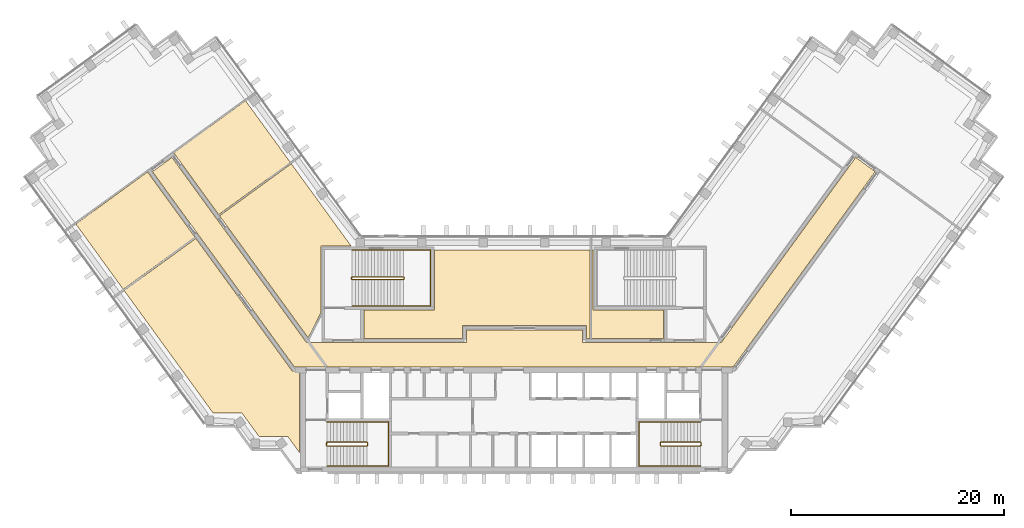
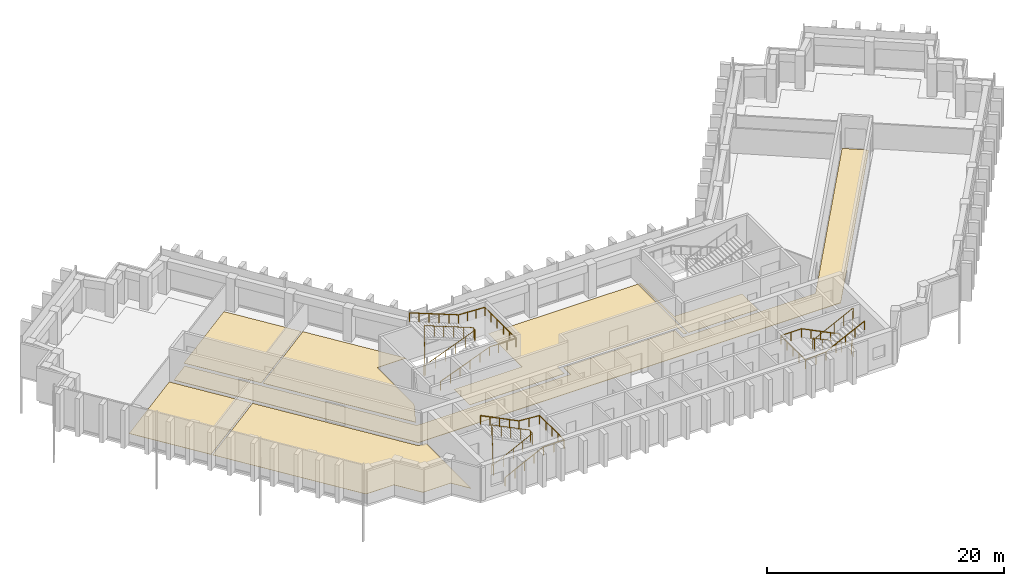
# One storey, part 12 of 13: 7 coverings, 6 railings.
"""IFC4 building model written with IfcOpenShell, lengths in metres."""

import ifcopenshell
import ifcopenshell.guid

model = None  # the IFC model being written
_history = None  # IfcOwnerHistory: only IFC2X3 demands one
_inside = {}  # id of a spatial element -> (the spatial element, [elements in it])
_under = {}  # id of a project, library or spatial element -> (it, [spatial elements below it])
_declared = {}  # id of a project -> (the project, [libraries it declares])
_typed = {}  # id of a type object -> (the type object, [elements of that type])
_made_of = {}  # id of a material, layer set ... -> (it, [elements and type objects made of it])


def new_model(schema):
    """Start an empty IFC model of exactly this schema.

    Asked for "IFC4X3", IfcOpenShell would pick the latest addendum, in which some entities
    have other attributes; the version numbers below select the first issue.
    IFC2X3 requires an IfcOwnerHistory on every rooted entity: one is made here for all.
    """
    global model, _history
    if schema == "IFC4X3":
        model = ifcopenshell.file(schema_version=(4, 3, 0, 0))
    else:
        model = ifcopenshell.file(schema=schema)
    _inside.clear()
    _under.clear()
    _declared.clear()
    _typed.clear()
    _made_of.clear()
    _history = None
    if model.schema == "IFC2X3":
        org = make("IfcOrganization", Name="unknown")
        user = make(
            "IfcPersonAndOrganization",
            ThePerson=make("IfcPerson", FamilyName="unknown"),
            TheOrganization=org,
        )
        app = make(
            "IfcApplication",
            ApplicationDeveloper=org,
            Version="unknown",
            ApplicationFullName="unknown",
            ApplicationIdentifier="unknown",
        )
        _history = make(
            "IfcOwnerHistory",
            OwningUser=user,
            OwningApplication=app,
            ChangeAction="ADDED",
            CreationDate=0,
        )
    return model


def make(cls, **values):
    """One entity of the class cls with the attributes given. An attribute that is None is left unset."""
    return model.create_entity(
        cls, **{name: value for name, value in values.items() if value is not None}
    )


def rooted(cls, **values):
    """An entity with a GlobalId (a new one), such as an element, a storey or a relation."""
    return make(cls, GlobalId=ifcopenshell.guid.new(), OwnerHistory=_history, **values)


def si_unit(unit_type, name, prefix=None):
    """IfcSIUnit, for example si_unit("LENGTHUNIT", "METRE", prefix="MILLI")."""
    return make("IfcSIUnit", UnitType=unit_type, Prefix=prefix, Name=name)


def assignment(units):
    """IfcUnitAssignment: the units of a project."""
    return None if units is None else make("IfcUnitAssignment", Units=units)


def point(xyz):
    """IfcCartesianPoint."""
    return None if xyz is None else make("IfcCartesianPoint", Coordinates=xyz)


def direction(xyz):
    """IfcDirection."""
    return None if xyz is None else make("IfcDirection", DirectionRatios=xyz)


def frame(location, z_axis=None, x_axis=None):
    """IfcAxis2Placement3D, a coordinate frame: its origin and axes. An axis left out is left unset."""
    return make(
        "IfcAxis2Placement3D",
        Location=point(location),
        Axis=direction(z_axis),
        RefDirection=direction(x_axis),
    )


def frame_2d(location, x_axis=None):
    """IfcAxis2Placement2D, a coordinate frame in the plane: its origin and x axis."""
    return make(
        "IfcAxis2Placement2D", Location=point(location), RefDirection=direction(x_axis)
    )


def origin():
    """The frame at (0, 0, 0) with its axes left unset."""
    return frame((0.0, 0.0, 0.0))


def origin_2d():
    """The frame at (0, 0) in the plane with its x axis left unset."""
    return frame_2d((0.0, 0.0))


def place(relative_to, where):
    """IfcLocalPlacement: puts the frame where relative to a parent placement (None: the world)."""
    return make(
        "IfcLocalPlacement", PlacementRelTo=relative_to, RelativePlacement=where
    )


def context(
    kind, dimensions, precision=None, world=None, true_north=None, identifier=None
):
    """IfcGeometricRepresentationContext, for example the 3D "Model" context."""
    return make(
        "IfcGeometricRepresentationContext",
        ContextIdentifier=identifier,
        ContextType=kind,
        CoordinateSpaceDimension=dimensions,
        Precision=precision,
        WorldCoordinateSystem=world,
        TrueNorth=true_north,
    )


def subcontext(parent, identifier, kind, view, scale=None):
    """IfcGeometricRepresentationSubContext, for example "Body" below "Model"."""
    return make(
        "IfcGeometricRepresentationSubContext",
        ContextIdentifier=identifier,
        ContextType=kind,
        ParentContext=parent,
        TargetScale=scale,
        TargetView=view,
    )


def project(units=None, contexts=None):
    """IfcProject with its units and contexts."""
    return rooted(
        "IfcProject",
        Name="project",
        RepresentationContexts=contexts,
        UnitsInContext=assignment(units),
    )


def spatial(cls, under=None, at=None, **own):
    """A site, building, storey or space (cls), placed at a placement, below another one or the project."""
    s = rooted(cls, ObjectPlacement=at, **own)
    if under is not None:
        _under.setdefault(under.id(), (under, []))[1].append(s)
    return s


def polyline(points):
    """IfcPolyline through the points."""
    return make("IfcPolyline", Points=[point(p) for p in points])


def profile(cls, at=None, kind="AREA", **sizes):
    """A parametric profile (cls). Its sizes go by their IFC names, for example OverallWidth=200.0."""
    return make(cls, ProfileType=kind, Position=at, **sizes)


def circle(**sizes):
    """IfcCircleProfileDef."""
    return profile("IfcCircleProfileDef", **sizes)


def outline(outer, holes=None, kind="AREA"):
    """IfcArbitraryClosedProfileDef: a profile drawn as a closed curve; with holes, ...WithVoids."""
    if holes is None:
        return make("IfcArbitraryClosedProfileDef", ProfileType=kind, OuterCurve=outer)
    return make(
        "IfcArbitraryProfileDefWithVoids",
        ProfileType=kind,
        OuterCurve=outer,
        InnerCurves=holes,
    )


def extrude(swept, where, along, depth):
    """IfcExtrudedAreaSolid: the profile swept, set in the frame where, extruded along a direction by depth."""
    return make(
        "IfcExtrudedAreaSolid",
        SweptArea=swept,
        Position=where,
        ExtrudedDirection=direction(along),
        Depth=depth,
    )


def shape(context_of_items, identifier, shape_type, items):
    """IfcShapeRepresentation: the items that make up one representation, for example the "Body"."""
    return make(
        "IfcShapeRepresentation",
        ContextOfItems=context_of_items,
        RepresentationIdentifier=identifier,
        RepresentationType=shape_type,
        Items=items,
    )


def material(Name=None, Category=None):
    """IfcMaterial."""
    return make("IfcMaterial", Name=Name, Category=Category)


def layer(
    of_material, thickness, ventilated=None, Name=None, Category=None, Priority=None
):
    """IfcMaterialLayer: one layer of a wall or slab, of a material (None: an air gap)."""
    return make(
        "IfcMaterialLayer",
        Material=of_material,
        LayerThickness=thickness,
        IsVentilated=ventilated,
        Name=Name,
        Category=Category,
        Priority=Priority,
    )


def layer_set(layers, Name=None):
    """IfcMaterialLayerSet."""
    return make("IfcMaterialLayerSet", MaterialLayers=layers, LayerSetName=Name)


def made_of(thing, what):
    """Note that an element or type object is made of a material, layer set ...; save() writes the relation."""
    if what is not None:
        _made_of.setdefault(what.id(), (what, []))[1].append(thing)
    return thing


def type_object(cls, material=None, **own):
    """A type object (cls), such as IfcWallType, which elements share."""
    return made_of(rooted(cls, **own), material)


def element(
    cls,
    number,
    at=None,
    inside=None,
    cuts=None,
    type_object=None,
    material=None,
    context=None,
    identifier="Body",
    shape_type=None,
    held_by="IfcProductDefinitionShape",
    body=None,
    shapes=None,
    **own,
):
    """One element of the class cls, such as IfcWall. Its Tag is "e" and its number.

    at: its placement. inside: the storey or other place that contains it. cuts: it is an
    opening in that element (IfcRelVoidsElement). A single representation is given by context,
    identifier, shape_type and body (its items); several are given by shapes. held_by: the class
    of the entity that holds the representations. save() writes the other relations.
    """
    e = rooted(cls, Tag="e%d" % number, ObjectPlacement=at, **own)
    if body is not None:
        shapes = [shape(context, identifier, shape_type, body)]
    if shapes is not None:
        e.Representation = make(held_by, Representations=shapes)
    if inside is not None:
        _inside.setdefault(inside.id(), (inside, []))[1].append(e)
    if cuts is not None:
        rooted(
            "IfcRelVoidsElement", RelatingBuildingElement=cuts, RelatedOpeningElement=e
        )
    if type_object is not None:
        _typed.setdefault(type_object.id(), (type_object, []))[1].append(e)
    return made_of(e, material)


def aggregate(whole, parts):
    """IfcRelAggregates: a whole, such as a stair, and the parts it consists of."""
    return rooted("IfcRelAggregates", RelatingObject=whole, RelatedObjects=parts)


def save(model, path):
    """Write the relations noted so far, then the file.

    IfcRelAggregates (storeys below a building ...), IfcRelContainedInSpatialStructure (elements
    in a storey), IfcRelDefinesByType, IfcRelAssociatesMaterial and IfcRelDeclares: one each for
    every whole, place, type object, material and project.
    """
    for whole, parts in _under.values():
        aggregate(whole, parts)
    for where, things in _inside.values():
        rooted(
            "IfcRelContainedInSpatialStructure",
            RelatedElements=things,
            RelatingStructure=where,
        )
    for kind, things in _typed.values():
        rooted("IfcRelDefinesByType", RelatedObjects=things, RelatingType=kind)
    for what, things in _made_of.values():
        rooted("IfcRelAssociatesMaterial", RelatedObjects=things, RelatingMaterial=what)
    for by, libraries in _declared.values():
        rooted("IfcRelDeclares", RelatingContext=by, RelatedDefinitions=libraries)
    model.write(path)


model = new_model("IFC4")

# Units and contexts
model_context = context("Model", 3, precision=1e-05, world=origin(), true_north=direction((0.0, 1.0)))
body_context = subcontext(model_context, "Body", "Model", "MODEL_VIEW")
ifc_project = project(units=[si_unit("LENGTHUNIT", "METRE"), si_unit("AREAUNIT", "SQUARE_METRE"), si_unit("VOLUMEUNIT", "CUBIC_METRE"), si_unit("PLANEANGLEUNIT", "RADIAN"), si_unit("MASSUNIT", "GRAM", prefix="KILO")], contexts=[model_context])

# Site, building, storey
site_placement = place(None, origin())
site = spatial("IfcSite", under=ifc_project, at=site_placement, CompositionType="ELEMENT")
building_placement = place(site_placement, origin())
building = spatial("IfcBuilding", under=site, at=building_placement, Name="Quipu Civic Tower", CompositionType="ELEMENT")
storey_placement = place(building_placement, frame((0.0, 0.0, 184.0)))
storey = spatial("IfcBuildingStorey", under=building, at=storey_placement, Name="L43", CompositionType="ELEMENT", Elevation=184.0)

# Coverings
ifc_material_1 = material(Name="Carpet tile on raised access floor")
ifc_layer_1 = layer(ifc_material_1, 0.02001953125)
ifc_layer_set_1 = layer_set([ifc_layer_1], Name="Carpet tile on raised access floor")
covering_type_1 = type_object("IfcCoveringType", Name="Carpet tile floor finish 20", PredefinedType="FLOORING", material=ifc_layer_set_1)
covering_1_placement = place(storey_placement, origin())
element("IfcCovering", 1, at=covering_1_placement, inside=storey, type_object=covering_type_1, Name="Carpet tile floor finish 20", PredefinedType="FLOORING", context=body_context, shape_type="SweptSolid", body=[
    extrude(outline(polyline([(7.26806640625, 1.52001953125), (7.26806640625, 9.830078125), (7.429931640625, 9.830078125), (7.429931640625, 4.180908203125), (14.030029296875, 4.179931640625), (14.030029296875, 1.52001953125), (7.26806640625, 1.52001953125)])), origin(), (0.0, 0.0, 1.0), 0.02001953125),
])
covering_2_placement = place(storey_placement, origin())
element("IfcCovering", 2, at=covering_2_placement, inside=storey, type_object=covering_type_1, Name="Carpet tile floor finish 20", PredefinedType="FLOORING", context=body_context, shape_type="SweptSolid", body=[
    extrude(outline(polyline([(-31.865966796875, 18.9189453125), (-25.14306640625, 23.802978515625), (-20.93798828125, 18.013916015625), (-27.660888671875, 13.1298828125), (-31.865966796875, 18.9189453125)])), origin(), (0.0, 0.0, 1.0), 0.02001953125),
])
covering_3_placement = place(storey_placement, origin())
element("IfcCovering", 3, at=covering_3_placement, inside=storey, type_object=covering_type_1, Name="Carpet tile floor finish 20", PredefinedType="FLOORING", context=body_context, shape_type="SweptSolid", body=[
    extrude(outline(polyline([(-14.030029296875, 1.52001953125), (-14.030029296875, 4.179931640625), (-7.429931640625, 4.180908203125), (-7.429931640625, 9.830078125), (7.1279296875, 9.830078125), (7.1279296875, 1.52001953125), (6.820068359375, 1.52001953125), (6.818115234375, 2.719970703125), (-4.818115234375, 2.719970703125), (-4.820068359375, 1.52001953125), (-14.030029296875, 1.52001953125)])), origin(), (0.0, 0.0, 1.0), 0.02001953125),
])
covering_4_placement = place(storey_placement, origin())
element("IfcCovering", 4, at=covering_4_placement, inside=storey, type_object=covering_type_1, Name="Carpet tile floor finish 20", PredefinedType="FLOORING", context=body_context, shape_type="SweptSolid", body=[
    extrude(outline(polyline([(-36.52001953125, 6.013916015625), (-29.7958984375, 10.89794921875), (-20.77490234375, -1.51904296875), (-20.070068359375, -1.52001953125), (-20.070068359375, -9.195068359375), (-21.196044921875, -7.64599609375), (-23.89501953125, -7.64599609375), (-25.48193359375, -5.4619140625), (-28.181884765625, -5.4609375), (-36.52001953125, 6.013916015625)])), origin(), (0.0, 0.0, 1.0), 0.02001953125),
])
ifc_material_2 = material(Name="Ceramic floor tile")
ifc_layer_2 = layer(ifc_material_2, 0.030029296875)
ifc_layer_set_2 = layer_set([ifc_layer_2], Name="Ceramic floor tile")
covering_type_2 = type_object("IfcCoveringType", Name="Ceramic tile floor finish 30", PredefinedType="FLOORING", material=ifc_layer_set_2)
covering_5_placement = place(storey_placement, origin())
element("IfcCovering", 5, at=covering_5_placement, inside=storey, type_object=covering_type_2, Name="Ceramic tile floor finish 30", PredefinedType="FLOORING", context=body_context, shape_type="SweptSolid", body=[
    extrude(outline(polyline([(-27.577880859375, 13.01708984375), (-20.85498046875, 17.90087890625), (-15.238037109375, 10.169921875), (-18.070068359375, 10.1689453125), (-18.070068359375, 3.94189453125), (-19.27197265625, 1.583984375), (-27.577880859375, 13.01708984375)])), origin(), (0.0, 0.0, 1.0), 0.030029296875),
])
covering_6_placement = place(storey_placement, origin())
element("IfcCovering", 6, at=covering_6_placement, inside=storey, type_object=covering_type_2, Name="Ceramic tile floor finish 30", PredefinedType="FLOORING", context=body_context, shape_type="SweptSolid", body=[
    extrude(outline(polyline([(-41.048095703125, 12.2470703125), (-34.324951171875, 17.131103515625), (-29.87890625, 11.010986328125), (-36.60302734375, 6.126953125), (-41.048095703125, 12.2470703125)])), origin(), (0.0, 0.0, 1.0), 0.030029296875),
])

# Railings
ifc_material_3 = material(Name="Stainless steel", Category="steel")
railing_type_1 = type_object("IfcRailingType", Name="Stair guard 1100", PredefinedType="GUARDRAIL", material=ifc_material_3)
railing_1_placement = place(storey_placement, frame((-17.5, -8.550048828125, 0.15380859375)))
element("IfcRailing", 7, at=railing_1_placement, inside=storey, type_object=railing_type_1, Name="Stair 1 guard", PredefinedType="GUARDRAIL", context=body_context, shape_type="SweptSolid", body=[
    extrude(circle(Radius=0.02392578125, at=origin_2d()), frame((0.0, 0.0, 1.076171875), z_axis=(0.895751851347, 0.0, 0.444554407028), x_axis=(0.0, 1.0, 0.0)), (0.0, 0.0, 1.0), 4.15283203125),
    extrude(circle(Radius=0.02392578125, at=origin_2d()), frame((3.719970703125, 0.0, 2.92236328125), z_axis=(0.707106781187, 0.707106781187, 0.0), x_axis=(-0.707106781187, 0.707106781187, 0.0)), (0.0, 0.0, 1.0), 0.07080078125),
    extrude(circle(Radius=0.02392578125, at=origin_2d()), frame((3.77001953125, 0.050048828125, 2.92236328125), z_axis=(0.0, 1.0, 0.0), x_axis=(-1.0, 0.0, 0.0)), (0.0, 0.0, 1.0), 0.25),
    extrude(circle(Radius=0.02392578125, at=origin_2d()), frame((3.77001953125, 0.300048828125, 2.92236328125), z_axis=(-0.295599637079, 0.295599637079, 0.908428152975), x_axis=(-0.707106781187, -0.707106781187, 0.0)), (0.0, 0.0, 1.0), 0.16943359375),
    extrude(circle(Radius=0.02392578125, at=origin_2d()), frame((3.719970703125, 0.35009765625, 3.076171875), z_axis=(-0.895751851347, 0.0, 0.444554407028), x_axis=(0.0, -1.0, 0.0)), (0.0, 0.0, 1.0), 4.15283203125),
    extrude(circle(Radius=0.02392578125, at=origin_2d()), frame((0.0, 0.35009765625, 4.92236328125), z_axis=(-0.012476181752, -0.074796231092, -0.997120789425), x_axis=(0.986372223864, -0.164529134168, 0.0)), (0.0, 0.0, 1.0), 4.011474609375),
    extrude(circle(Radius=0.02392578125, at=origin_2d()), frame((-0.050048828125, 0.050048828125, 0.92236328125), z_axis=(0.0, 1.0, 0.0), x_axis=(-1.0, 0.0, 0.0)), (0.0, 0.0, 1.0), 0.25),
    extrude(circle(Radius=0.02099609375, at=origin_2d()), origin(), (0.0, 0.0, 1.0), 1.052001953125),
    extrude(circle(Radius=0.02099609375, at=origin_2d()), frame((0.929931640625, 0.0, 0.46142578125)), (0.0, 0.0, 1.0), 1.052001953125),
    extrude(circle(Radius=0.02099609375, at=origin_2d()), frame((1.85986328125, 0.0, 0.923095703125)), (0.0, 0.0, 1.0), 1.052001953125),
    extrude(circle(Radius=0.02099609375, at=origin_2d()), frame((2.7900390625, 0.0, 1.384765625)), (0.0, 0.0, 1.0), 1.052001953125),
    extrude(circle(Radius=0.02099609375, at=origin_2d()), frame((3.719970703125, 0.0, 1.84619140625)), (0.0, 0.0, 1.0), 1.052001953125),
    extrude(circle(Radius=0.02099609375, at=origin_2d()), frame((3.77001953125, 0.050048828125, 1.84619140625)), (0.0, 0.0, 1.0), 1.052001953125),
    extrude(circle(Radius=0.02099609375, at=origin_2d()), frame((3.77001953125, 0.300048828125, 1.84619140625)), (0.0, 0.0, 1.0), 1.052001953125),
    extrude(circle(Radius=0.02099609375, at=origin_2d()), frame((3.719970703125, 0.35009765625, 2.0)), (0.0, 0.0, 1.0), 1.052001953125),
    extrude(circle(Radius=0.02099609375, at=origin_2d()), frame((2.7900390625, 0.35009765625, 2.46142578125)), (0.0, 0.0, 1.0), 1.052001953125),
    extrude(circle(Radius=0.02099609375, at=origin_2d()), frame((1.85986328125, 0.35009765625, 2.923095703125)), (0.0, 0.0, 1.0), 1.052001953125),
    extrude(circle(Radius=0.02099609375, at=origin_2d()), frame((0.929931640625, 0.35009765625, 3.384765625)), (0.0, 0.0, 1.0), 1.052001953125),
    extrude(circle(Radius=0.02099609375, at=origin_2d()), frame((0.0, 0.35009765625, 3.84619140625)), (0.0, 0.0, 1.0), 1.052001953125),
    extrude(circle(Radius=0.02099609375, at=origin_2d()), frame((-0.012451171875, 0.275146484375, 2.84619140625)), (0.0, 0.0, 1.0), 1.052001953125),
    extrude(circle(Radius=0.02099609375, at=origin_2d()), frame((-0.02490234375, 0.2001953125, 1.84619140625)), (0.0, 0.0, 1.0), 1.052001953125),
    extrude(circle(Radius=0.02099609375, at=origin_2d()), frame((-0.03759765625, 0.125, 0.84619140625)), (0.0, 0.0, 1.0), 1.052001953125),
    extrude(circle(Radius=0.02099609375, at=origin_2d()), frame((-0.050048828125, 0.050048828125, -0.15380859375)), (0.0, 0.0, 1.0), 1.052001953125),
    extrude(circle(Radius=0.02099609375, at=origin_2d()), frame((-0.050048828125, 0.300048828125, -0.15380859375)), (0.0, 0.0, 1.0), 1.052001953125),
])
railing_2_placement = place(storey_placement, frame((17.5, -8.199951171875, 0.15380859375)))
element("IfcRailing", 8, at=railing_2_placement, inside=storey, type_object=railing_type_1, Name="Stair 2 guard", PredefinedType="GUARDRAIL", context=body_context, shape_type="SweptSolid", body=[
    extrude(circle(Radius=0.02392578125, at=origin_2d()), frame((0.0, 0.0, 1.076171875), z_axis=(-0.895751851347, 0.0, 0.444554407028), x_axis=(0.0, -1.0, 0.0)), (0.0, 0.0, 1.0), 4.15283203125),
    extrude(circle(Radius=0.02392578125, at=origin_2d()), frame((-3.719970703125, 0.0, 2.92236328125), z_axis=(-0.707106781187, -0.707106781187, 0.0), x_axis=(0.707106781187, -0.707106781187, 0.0)), (0.0, 0.0, 1.0), 0.07080078125),
    extrude(circle(Radius=0.02392578125, at=origin_2d()), frame((-3.77001953125, -0.050048828125, 2.92236328125), z_axis=(0.0, -1.0, 0.0), x_axis=(1.0, 0.0, 0.0)), (0.0, 0.0, 1.0), 0.25),
    extrude(circle(Radius=0.02392578125, at=origin_2d()), frame((-3.77001953125, -0.300048828125, 2.92236328125), z_axis=(0.295599637079, -0.295599637079, 0.908428152975), x_axis=(0.707106781187, 0.707106781187, 0.0)), (0.0, 0.0, 1.0), 0.16943359375),
    extrude(circle(Radius=0.02392578125, at=origin_2d()), frame((-3.719970703125, -0.35009765625, 3.076171875), z_axis=(0.895751851347, 0.0, 0.444554407028), x_axis=(0.0, 1.0, 0.0)), (0.0, 0.0, 1.0), 4.15283203125),
    extrude(circle(Radius=0.02392578125, at=origin_2d()), frame((0.0, -0.35009765625, 4.92236328125), z_axis=(0.012476181752, 0.074796231092, -0.997120789425), x_axis=(-0.986372223864, 0.164529134168, 0.0)), (0.0, 0.0, 1.0), 4.011474609375),
    extrude(circle(Radius=0.02392578125, at=origin_2d()), frame((0.050048828125, -0.050048828125, 0.92236328125), z_axis=(0.0, -1.0, 0.0), x_axis=(1.0, 0.0, 0.0)), (0.0, 0.0, 1.0), 0.25),
    extrude(circle(Radius=0.02099609375, at=origin_2d()), origin(), (0.0, 0.0, 1.0), 1.052001953125),
    extrude(circle(Radius=0.02099609375, at=origin_2d()), frame((-0.929931640625, 0.0, 0.46142578125)), (0.0, 0.0, 1.0), 1.052001953125),
    extrude(circle(Radius=0.02099609375, at=origin_2d()), frame((-1.85986328125, 0.0, 0.923095703125)), (0.0, 0.0, 1.0), 1.052001953125),
    extrude(circle(Radius=0.02099609375, at=origin_2d()), frame((-2.7900390625, 0.0, 1.384765625)), (0.0, 0.0, 1.0), 1.052001953125),
    extrude(circle(Radius=0.02099609375, at=origin_2d()), frame((-3.719970703125, 0.0, 1.84619140625)), (0.0, 0.0, 1.0), 1.052001953125),
    extrude(circle(Radius=0.02099609375, at=origin_2d()), frame((-3.77001953125, -0.050048828125, 1.84619140625)), (0.0, 0.0, 1.0), 1.052001953125),
    extrude(circle(Radius=0.02099609375, at=origin_2d()), frame((-3.77001953125, -0.300048828125, 1.84619140625)), (0.0, 0.0, 1.0), 1.052001953125),
    extrude(circle(Radius=0.02099609375, at=origin_2d()), frame((-3.719970703125, -0.35009765625, 2.0)), (0.0, 0.0, 1.0), 1.052001953125),
    extrude(circle(Radius=0.02099609375, at=origin_2d()), frame((-2.7900390625, -0.35009765625, 2.46142578125)), (0.0, 0.0, 1.0), 1.052001953125),
    extrude(circle(Radius=0.02099609375, at=origin_2d()), frame((-1.85986328125, -0.35009765625, 2.923095703125)), (0.0, 0.0, 1.0), 1.052001953125),
    extrude(circle(Radius=0.02099609375, at=origin_2d()), frame((-0.929931640625, -0.35009765625, 3.384765625)), (0.0, 0.0, 1.0), 1.052001953125),
    extrude(circle(Radius=0.02099609375, at=origin_2d()), frame((0.0, -0.35009765625, 3.84619140625)), (0.0, 0.0, 1.0), 1.052001953125),
    extrude(circle(Radius=0.02099609375, at=origin_2d()), frame((0.012451171875, -0.275146484375, 2.84619140625)), (0.0, 0.0, 1.0), 1.052001953125),
    extrude(circle(Radius=0.02099609375, at=origin_2d()), frame((0.02490234375, -0.2001953125, 1.84619140625)), (0.0, 0.0, 1.0), 1.052001953125),
    extrude(circle(Radius=0.02099609375, at=origin_2d()), frame((0.03759765625, -0.125, 0.84619140625)), (0.0, 0.0, 1.0), 1.052001953125),
    extrude(circle(Radius=0.02099609375, at=origin_2d()), frame((0.050048828125, -0.050048828125, -0.15380859375)), (0.0, 0.0, 1.0), 1.052001953125),
    extrude(circle(Radius=0.02099609375, at=origin_2d()), frame((0.050048828125, -0.300048828125, -0.15380859375)), (0.0, 0.0, 1.0), 1.052001953125),
])
railing_3_placement = place(storey_placement, frame((-15.14990234375, 7.050048828125, 0.11767578125)))
element("IfcRailing", 9, at=railing_3_placement, inside=storey, type_object=railing_type_1, Name="Stair 3 guard", PredefinedType="GUARDRAIL", context=body_context, shape_type="SweptSolid", body=[
    extrude(circle(Radius=0.02392578125, at=origin_2d()), frame((0.0, 0.0, 1.076171875), z_axis=(0.930970042603, 0.0, 0.365095576219), x_axis=(0.0, 1.0, 0.0)), (0.0, 0.0, 1.0), 5.15576171875),
    extrude(circle(Radius=0.02392578125, at=origin_2d()), frame((4.7998046875, 0.0, 2.95849609375), z_axis=(0.707106781187, 0.707106781187, 0.0), x_axis=(-0.707106781187, 0.707106781187, 0.0)), (0.0, 0.0, 1.0), 0.07080078125),
    extrude(circle(Radius=0.02392578125, at=origin_2d()), frame((4.849853515625, 0.050048828125, 2.95849609375), z_axis=(0.0, 1.0, 0.0), x_axis=(-1.0, 0.0, 0.0)), (0.0, 0.0, 1.0), 0.14990234375),
    extrude(circle(Radius=0.02392578125, at=origin_2d()), frame((4.849853515625, 0.199951171875, 2.95849609375), z_axis=(-0.364463019033, 0.364463019033, 0.856932561824), x_axis=(-0.707106781187, -0.707106781187, 0.0)), (0.0, 0.0, 1.0), 0.13720703125),
    extrude(circle(Radius=0.02392578125, at=origin_2d()), frame((4.7998046875, 0.25, 3.076171875), z_axis=(-0.930970042603, 0.0, 0.365095576219), x_axis=(0.0, -1.0, 0.0)), (0.0, 0.0, 1.0), 5.15576171875),
    extrude(circle(Radius=0.02392578125, at=origin_2d()), frame((0.0, 0.25, 4.95849609375), z_axis=(-0.012495627992, -0.049921557685, -0.998674970829), x_axis=(0.970072785993, -0.242814311512, 0.0)), (0.0, 0.0, 1.0), 4.00537109375),
    extrude(circle(Radius=0.02392578125, at=origin_2d()), frame((-0.050048828125, 0.050048828125, 0.95849609375), z_axis=(0.0, 1.0, 0.0), x_axis=(-1.0, 0.0, 0.0)), (0.0, 0.0, 1.0), 0.14990234375),
    extrude(circle(Radius=0.02099609375, at=origin_2d()), origin(), (0.0, 0.0, 1.0), 1.052001953125),
    extrude(circle(Radius=0.02099609375, at=origin_2d()), frame((0.9599609375, 0.0, 0.37646484375)), (0.0, 0.0, 1.0), 1.052001953125),
    extrude(circle(Radius=0.02099609375, at=origin_2d()), frame((1.919921875, 0.0, 0.7529296875)), (0.0, 0.0, 1.0), 1.052001953125),
    extrude(circle(Radius=0.02099609375, at=origin_2d()), frame((2.8798828125, 0.0, 1.12939453125)), (0.0, 0.0, 1.0), 1.052001953125),
    extrude(circle(Radius=0.02099609375, at=origin_2d()), frame((3.83984375, 0.0, 1.505859375)), (0.0, 0.0, 1.0), 1.052001953125),
    extrude(circle(Radius=0.02099609375, at=origin_2d()), frame((4.7998046875, 0.0, 1.88232421875)), (0.0, 0.0, 1.0), 1.052001953125),
    extrude(circle(Radius=0.02099609375, at=origin_2d()), frame((4.849853515625, 0.050048828125, 1.88232421875)), (0.0, 0.0, 1.0), 1.052001953125),
    extrude(circle(Radius=0.02099609375, at=origin_2d()), frame((4.849853515625, 0.199951171875, 1.88232421875)), (0.0, 0.0, 1.0), 1.052001953125),
    extrude(circle(Radius=0.02099609375, at=origin_2d()), frame((4.7998046875, 0.25, 2.0)), (0.0, 0.0, 1.0), 1.052001953125),
    extrude(circle(Radius=0.02099609375, at=origin_2d()), frame((3.83984375, 0.25, 2.37646484375)), (0.0, 0.0, 1.0), 1.052001953125),
    extrude(circle(Radius=0.02099609375, at=origin_2d()), frame((2.8798828125, 0.25, 2.7529296875)), (0.0, 0.0, 1.0), 1.052001953125),
    extrude(circle(Radius=0.02099609375, at=origin_2d()), frame((1.919921875, 0.25, 3.12939453125)), (0.0, 0.0, 1.0), 1.052001953125),
    extrude(circle(Radius=0.02099609375, at=origin_2d()), frame((0.9599609375, 0.25, 3.505859375)), (0.0, 0.0, 1.0), 1.052001953125),
    extrude(circle(Radius=0.02099609375, at=origin_2d()), frame((0.0, 0.25, 3.88232421875)), (0.0, 0.0, 1.0), 1.052001953125),
    extrude(circle(Radius=0.02099609375, at=origin_2d()), frame((-0.012451171875, 0.199951171875, 2.88232421875)), (0.0, 0.0, 1.0), 1.052001953125),
    extrude(circle(Radius=0.02099609375, at=origin_2d()), frame((-0.02490234375, 0.14990234375, 1.88232421875)), (0.0, 0.0, 1.0), 1.052001953125),
    extrude(circle(Radius=0.02099609375, at=origin_2d()), frame((-0.03759765625, 0.10009765625, 0.88232421875)), (0.0, 0.0, 1.0), 1.052001953125),
    extrude(circle(Radius=0.02099609375, at=origin_2d()), frame((-0.050048828125, 0.050048828125, -0.11767578125)), (0.0, 0.0, 1.0), 1.052001953125),
    extrude(circle(Radius=0.02099609375, at=origin_2d()), frame((-0.050048828125, 0.199951171875, -0.11767578125)), (0.0, 0.0, 1.0), 1.052001953125),
])
ifc_material_4 = material(Name="Stainless steel", Category="steel")
railing_type_2 = type_object("IfcRailingType", Name="Stair handrail", PredefinedType="HANDRAIL", material=ifc_material_4)
railing_4_placement = place(storey_placement, frame((-17.5, -10.449951171875, 0.15380859375)))
element("IfcRailing", 10, at=railing_4_placement, inside=storey, type_object=railing_type_2, Name="Stair 1 handrail", PredefinedType="HANDRAIL", context=body_context, shape_type="SweptSolid", body=[
    extrude(circle(Radius=0.02392578125, at=origin_2d()), frame((0.0, 0.0, 0.8759765625), z_axis=(0.895751851347, 0.0, 0.444554407028), x_axis=(0.0, 1.0, 0.0)), (0.0, 0.0, 1.0), 4.15283203125),
    extrude(circle(Radius=0.02392578125, at=origin_2d()), frame((3.719970703125, 0.0, 2.72216796875), z_axis=(1.0, 0.0, 0.0), x_axis=(0.0, 1.0, 0.0)), (0.0, 0.0, 1.0), 2.030029296875),
    extrude(circle(Radius=0.02392578125, at=origin_2d()), frame((5.75, 0.0, 2.72216796875), z_axis=(0.0, 1.0, 0.0), x_axis=(-1.0, 0.0, 0.0)), (0.0, 0.0, 1.0), 4.14990234375),
    extrude(circle(Radius=0.02392578125, at=origin_2d()), frame((5.75, 4.14990234375, 2.72216796875), z_axis=(-0.997142003663, 0.0, 0.075550145798), x_axis=(0.0, -1.0, 0.0)), (0.0, 0.0, 1.0), 2.035888671875),
    extrude(circle(Radius=0.02392578125, at=origin_2d()), frame((3.719970703125, 4.14990234375, 2.8759765625), z_axis=(-0.895751851347, 0.0, 0.444554407028), x_axis=(0.0, -1.0, 0.0)), (0.0, 0.0, 1.0), 4.15283203125),
    extrude(circle(Radius=0.02099609375, at=origin_2d()), origin(), (0.0, 0.0, 1.0), 0.851806640625),
    extrude(circle(Radius=0.02099609375, at=origin_2d()), frame((0.929931640625, 0.0, 0.46142578125)), (0.0, 0.0, 1.0), 0.851806640625),
    extrude(circle(Radius=0.02099609375, at=origin_2d()), frame((1.85986328125, 0.0, 0.923095703125)), (0.0, 0.0, 1.0), 0.851806640625),
    extrude(circle(Radius=0.02099609375, at=origin_2d()), frame((2.7900390625, 0.0, 1.384765625)), (0.0, 0.0, 1.0), 0.851806640625),
    extrude(circle(Radius=0.02099609375, at=origin_2d()), frame((3.719970703125, 0.0, 1.84619140625)), (0.0, 0.0, 1.0), 0.851806640625),
    extrude(circle(Radius=0.02099609375, at=origin_2d()), frame((4.73486328125, 0.0, 1.84619140625)), (0.0, 0.0, 1.0), 0.851806640625),
    extrude(circle(Radius=0.02099609375, at=origin_2d()), frame((5.75, 0.0, 1.84619140625)), (0.0, 0.0, 1.0), 0.851806640625),
    extrude(circle(Radius=0.02099609375, at=origin_2d()), frame((5.75, 1.03759765625, 1.84619140625)), (0.0, 0.0, 1.0), 0.851806640625),
    extrude(circle(Radius=0.02099609375, at=origin_2d()), frame((5.75, 2.074951171875, 1.84619140625)), (0.0, 0.0, 1.0), 0.851806640625),
    extrude(circle(Radius=0.02099609375, at=origin_2d()), frame((5.75, 3.1123046875, 1.84619140625)), (0.0, 0.0, 1.0), 0.851806640625),
    extrude(circle(Radius=0.02099609375, at=origin_2d()), frame((5.75, 4.14990234375, 1.84619140625)), (0.0, 0.0, 1.0), 0.851806640625),
    extrude(circle(Radius=0.02099609375, at=origin_2d()), frame((4.73486328125, 4.14990234375, 1.923095703125)), (0.0, 0.0, 1.0), 0.851806640625),
    extrude(circle(Radius=0.02099609375, at=origin_2d()), frame((3.719970703125, 4.14990234375, 2.0)), (0.0, 0.0, 1.0), 0.851806640625),
    extrude(circle(Radius=0.02099609375, at=origin_2d()), frame((2.7900390625, 4.14990234375, 2.46142578125)), (0.0, 0.0, 1.0), 0.851806640625),
    extrude(circle(Radius=0.02099609375, at=origin_2d()), frame((1.85986328125, 4.14990234375, 2.923095703125)), (0.0, 0.0, 1.0), 0.851806640625),
    extrude(circle(Radius=0.02099609375, at=origin_2d()), frame((0.929931640625, 4.14990234375, 3.384765625)), (0.0, 0.0, 1.0), 0.851806640625),
    extrude(circle(Radius=0.02099609375, at=origin_2d()), frame((0.0, 4.14990234375, 3.84619140625)), (0.0, 0.0, 1.0), 0.851806640625),
])
railing_5_placement = place(storey_placement, frame((17.5, -6.300048828125, 0.15380859375)))
element("IfcRailing", 11, at=railing_5_placement, inside=storey, type_object=railing_type_2, Name="Stair 2 handrail", PredefinedType="HANDRAIL", context=body_context, shape_type="SweptSolid", body=[
    extrude(circle(Radius=0.02392578125, at=origin_2d()), frame((0.0, 0.0, 0.8759765625), z_axis=(-0.895751851347, 0.0, 0.444554407028), x_axis=(0.0, -1.0, 0.0)), (0.0, 0.0, 1.0), 4.15283203125),
    extrude(circle(Radius=0.02392578125, at=origin_2d()), frame((-3.719970703125, 0.0, 2.72216796875), z_axis=(-1.0, 0.0, 0.0), x_axis=(0.0, -1.0, 0.0)), (0.0, 0.0, 1.0), 2.030029296875),
    extrude(circle(Radius=0.02392578125, at=origin_2d()), frame((-5.75, 0.0, 2.72216796875), z_axis=(0.0, -1.0, 0.0), x_axis=(1.0, 0.0, 0.0)), (0.0, 0.0, 1.0), 4.14990234375),
    extrude(circle(Radius=0.02392578125, at=origin_2d()), frame((-5.75, -4.14990234375, 2.72216796875), z_axis=(0.997142003663, 0.0, 0.075550145798), x_axis=(0.0, 1.0, 0.0)), (0.0, 0.0, 1.0), 2.035888671875),
    extrude(circle(Radius=0.02392578125, at=origin_2d()), frame((-3.719970703125, -4.14990234375, 2.8759765625), z_axis=(0.895751851347, 0.0, 0.444554407028), x_axis=(0.0, 1.0, 0.0)), (0.0, 0.0, 1.0), 4.15283203125),
    extrude(circle(Radius=0.02099609375, at=origin_2d()), origin(), (0.0, 0.0, 1.0), 0.851806640625),
    extrude(circle(Radius=0.02099609375, at=origin_2d()), frame((-0.929931640625, 0.0, 0.46142578125)), (0.0, 0.0, 1.0), 0.851806640625),
    extrude(circle(Radius=0.02099609375, at=origin_2d()), frame((-1.85986328125, 0.0, 0.923095703125)), (0.0, 0.0, 1.0), 0.851806640625),
    extrude(circle(Radius=0.02099609375, at=origin_2d()), frame((-2.7900390625, 0.0, 1.384765625)), (0.0, 0.0, 1.0), 0.851806640625),
    extrude(circle(Radius=0.02099609375, at=origin_2d()), frame((-3.719970703125, 0.0, 1.84619140625)), (0.0, 0.0, 1.0), 0.851806640625),
    extrude(circle(Radius=0.02099609375, at=origin_2d()), frame((-4.73486328125, 0.0, 1.84619140625)), (0.0, 0.0, 1.0), 0.851806640625),
    extrude(circle(Radius=0.02099609375, at=origin_2d()), frame((-5.75, 0.0, 1.84619140625)), (0.0, 0.0, 1.0), 0.851806640625),
    extrude(circle(Radius=0.02099609375, at=origin_2d()), frame((-5.75, -1.03759765625, 1.84619140625)), (0.0, 0.0, 1.0), 0.851806640625),
    extrude(circle(Radius=0.02099609375, at=origin_2d()), frame((-5.75, -2.074951171875, 1.84619140625)), (0.0, 0.0, 1.0), 0.851806640625),
    extrude(circle(Radius=0.02099609375, at=origin_2d()), frame((-5.75, -3.1123046875, 1.84619140625)), (0.0, 0.0, 1.0), 0.851806640625),
    extrude(circle(Radius=0.02099609375, at=origin_2d()), frame((-5.75, -4.14990234375, 1.84619140625)), (0.0, 0.0, 1.0), 0.851806640625),
    extrude(circle(Radius=0.02099609375, at=origin_2d()), frame((-4.73486328125, -4.14990234375, 1.923095703125)), (0.0, 0.0, 1.0), 0.851806640625),
    extrude(circle(Radius=0.02099609375, at=origin_2d()), frame((-3.719970703125, -4.14990234375, 2.0)), (0.0, 0.0, 1.0), 0.851806640625),
    extrude(circle(Radius=0.02099609375, at=origin_2d()), frame((-2.7900390625, -4.14990234375, 2.46142578125)), (0.0, 0.0, 1.0), 0.851806640625),
    extrude(circle(Radius=0.02099609375, at=origin_2d()), frame((-1.85986328125, -4.14990234375, 2.923095703125)), (0.0, 0.0, 1.0), 0.851806640625),
    extrude(circle(Radius=0.02099609375, at=origin_2d()), frame((-0.929931640625, -4.14990234375, 3.384765625)), (0.0, 0.0, 1.0), 0.851806640625),
    extrude(circle(Radius=0.02099609375, at=origin_2d()), frame((0.0, -4.14990234375, 3.84619140625)), (0.0, 0.0, 1.0), 0.851806640625),
])
railing_6_placement = place(storey_placement, frame((-15.14990234375, 4.550048828125, 0.11767578125)))
element("IfcRailing", 12, at=railing_6_placement, inside=storey, type_object=railing_type_2, Name="Stair 3 handrail", PredefinedType="HANDRAIL", context=body_context, shape_type="SweptSolid", body=[
    extrude(circle(Radius=0.02392578125, at=origin_2d()), frame((0.0, 0.0, 0.8759765625), z_axis=(0.930970042603, 0.0, 0.365095576219), x_axis=(0.0, 1.0, 0.0)), (0.0, 0.0, 1.0), 5.15576171875),
    extrude(circle(Radius=0.02392578125, at=origin_2d()), frame((4.7998046875, 0.0, 2.75830078125), z_axis=(1.0, 0.0, 0.0), x_axis=(0.0, 1.0, 0.0)), (0.0, 0.0, 1.0), 2.550048828125),
    extrude(circle(Radius=0.02392578125, at=origin_2d()), frame((7.349853515625, 0.0, 2.75830078125), z_axis=(0.0, 1.0, 0.0), x_axis=(-1.0, 0.0, 0.0)), (0.0, 0.0, 1.0), 5.25),
    extrude(circle(Radius=0.02392578125, at=origin_2d()), frame((7.349853515625, 5.25, 2.75830078125), z_axis=(-0.998936948642, 0.0, 0.04609742549), x_axis=(0.0, -1.0, 0.0)), (0.0, 0.0, 1.0), 2.552734375),
    extrude(circle(Radius=0.02392578125, at=origin_2d()), frame((4.7998046875, 5.25, 2.8759765625), z_axis=(-0.930970042603, 0.0, 0.365095576219), x_axis=(0.0, -1.0, 0.0)), (0.0, 0.0, 1.0), 5.15576171875),
    extrude(circle(Radius=0.02099609375, at=origin_2d()), origin(), (0.0, 0.0, 1.0), 0.851806640625),
    extrude(circle(Radius=0.02099609375, at=origin_2d()), frame((0.9599609375, 0.0, 0.37646484375)), (0.0, 0.0, 1.0), 0.851806640625),
    extrude(circle(Radius=0.02099609375, at=origin_2d()), frame((1.919921875, 0.0, 0.7529296875)), (0.0, 0.0, 1.0), 0.851806640625),
    extrude(circle(Radius=0.02099609375, at=origin_2d()), frame((2.8798828125, 0.0, 1.12939453125)), (0.0, 0.0, 1.0), 0.851806640625),
    extrude(circle(Radius=0.02099609375, at=origin_2d()), frame((3.83984375, 0.0, 1.505859375)), (0.0, 0.0, 1.0), 0.851806640625),
    extrude(circle(Radius=0.02099609375, at=origin_2d()), frame((4.7998046875, 0.0, 1.88232421875)), (0.0, 0.0, 1.0), 0.851806640625),
    extrude(circle(Radius=0.02099609375, at=origin_2d()), frame((5.64990234375, 0.0, 1.88232421875)), (0.0, 0.0, 1.0), 0.851806640625),
    extrude(circle(Radius=0.02099609375, at=origin_2d()), frame((6.499755859375, 0.0, 1.88232421875)), (0.0, 0.0, 1.0), 0.851806640625),
    extrude(circle(Radius=0.02099609375, at=origin_2d()), frame((7.349853515625, 0.0, 1.88232421875)), (0.0, 0.0, 1.0), 0.851806640625),
    extrude(circle(Radius=0.02099609375, at=origin_2d()), frame((7.349853515625, 1.050048828125, 1.88232421875)), (0.0, 0.0, 1.0), 0.851806640625),
    extrude(circle(Radius=0.02099609375, at=origin_2d()), frame((7.349853515625, 2.10009765625, 1.88232421875)), (0.0, 0.0, 1.0), 0.851806640625),
    extrude(circle(Radius=0.02099609375, at=origin_2d()), frame((7.349853515625, 3.14990234375, 1.88232421875)), (0.0, 0.0, 1.0), 0.851806640625),
    extrude(circle(Radius=0.02099609375, at=origin_2d()), frame((7.349853515625, 4.199951171875, 1.88232421875)), (0.0, 0.0, 1.0), 0.851806640625),
    extrude(circle(Radius=0.02099609375, at=origin_2d()), frame((7.349853515625, 5.25, 1.88232421875)), (0.0, 0.0, 1.0), 0.851806640625),
    extrude(circle(Radius=0.02099609375, at=origin_2d()), frame((6.499755859375, 5.25, 1.921630859375)), (0.0, 0.0, 1.0), 0.851806640625),
    extrude(circle(Radius=0.02099609375, at=origin_2d()), frame((5.64990234375, 5.25, 1.960693359375)), (0.0, 0.0, 1.0), 0.851806640625),
    extrude(circle(Radius=0.02099609375, at=origin_2d()), frame((4.7998046875, 5.25, 2.0)), (0.0, 0.0, 1.0), 0.851806640625),
    extrude(circle(Radius=0.02099609375, at=origin_2d()), frame((3.83984375, 5.25, 2.37646484375)), (0.0, 0.0, 1.0), 0.851806640625),
    extrude(circle(Radius=0.02099609375, at=origin_2d()), frame((2.8798828125, 5.25, 2.7529296875)), (0.0, 0.0, 1.0), 0.851806640625),
    extrude(circle(Radius=0.02099609375, at=origin_2d()), frame((1.919921875, 5.25, 3.12939453125)), (0.0, 0.0, 1.0), 0.851806640625),
    extrude(circle(Radius=0.02099609375, at=origin_2d()), frame((0.9599609375, 5.25, 3.505859375)), (0.0, 0.0, 1.0), 0.851806640625),
    extrude(circle(Radius=0.02099609375, at=origin_2d()), frame((0.0, 5.25, 3.88232421875)), (0.0, 0.0, 1.0), 0.851806640625),
])

# Covering
ifc_material_5 = material(Name="Terrazzo floor finish")
ifc_layer_3 = layer(ifc_material_5, 0.0400390625)
ifc_layer_set_3 = layer_set([ifc_layer_3], Name="Terrazzo floor finish")
covering_type_3 = type_object("IfcCoveringType", Name="Terrazzo floor finish 40", PredefinedType="FLOORING", material=ifc_layer_set_3)
covering_7_placement = place(storey_placement, origin())
element("IfcCovering", 13, at=covering_7_placement, inside=storey, type_object=covering_type_3, Name="Terrazzo floor finish 40", PredefinedType="FLOORING", context=body_context, shape_type="SweptSolid", body=[
    extrude(outline(polyline([(19.425048828125, 1.1298828125), (32.033935546875, 18.487060546875), (33.863037109375, 17.158935546875), (20.574951171875, -1.1298828125), (-20.574951171875, -1.1298828125), (-33.863037109375, 17.158935546875), (-32.033935546875, 18.487060546875), (-19.425048828125, 1.1298828125), (-4.429931640625, 1.1298828125), (-4.429931640625, 2.330078125), (6.429931640625, 2.330078125), (6.429931640625, 1.1298828125), (19.425048828125, 1.1298828125)])), origin(), (0.0, 0.0, 1.0), 0.0400390625),
])

save(model, "model.ifc")
